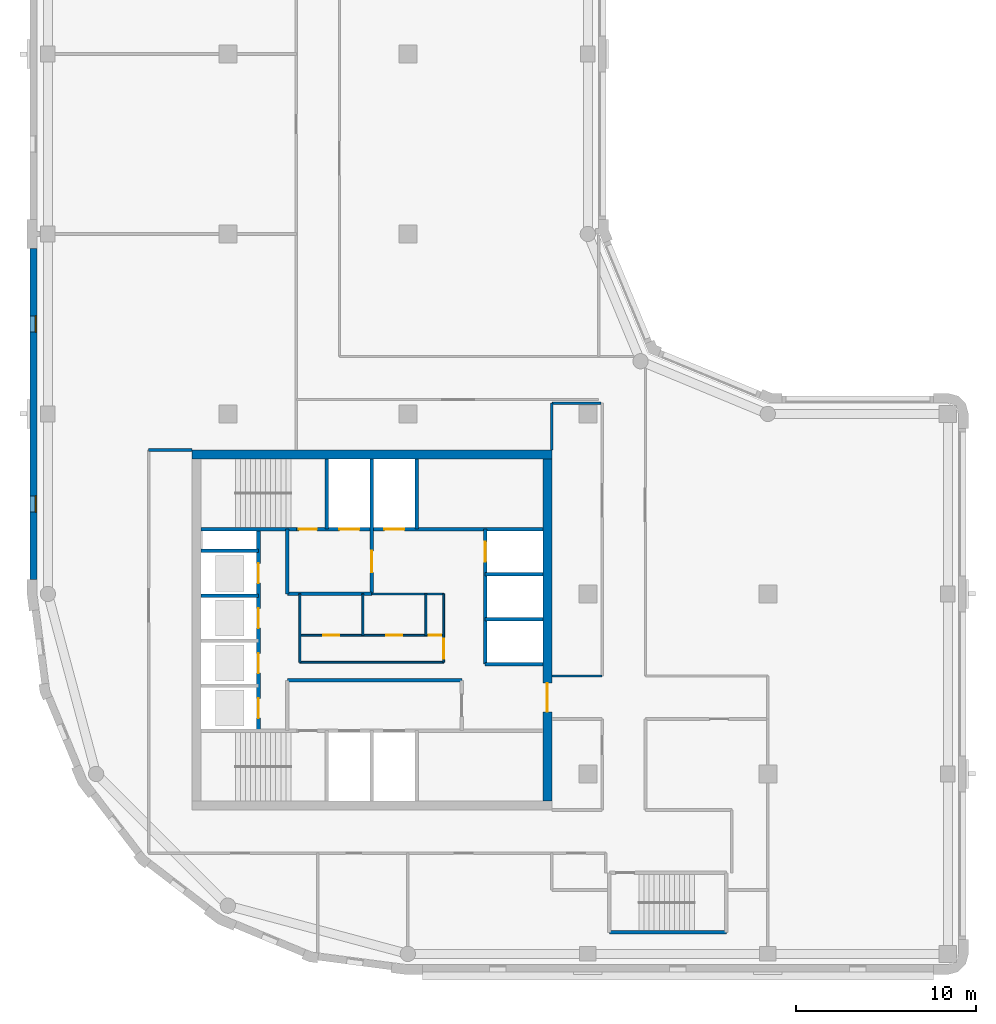
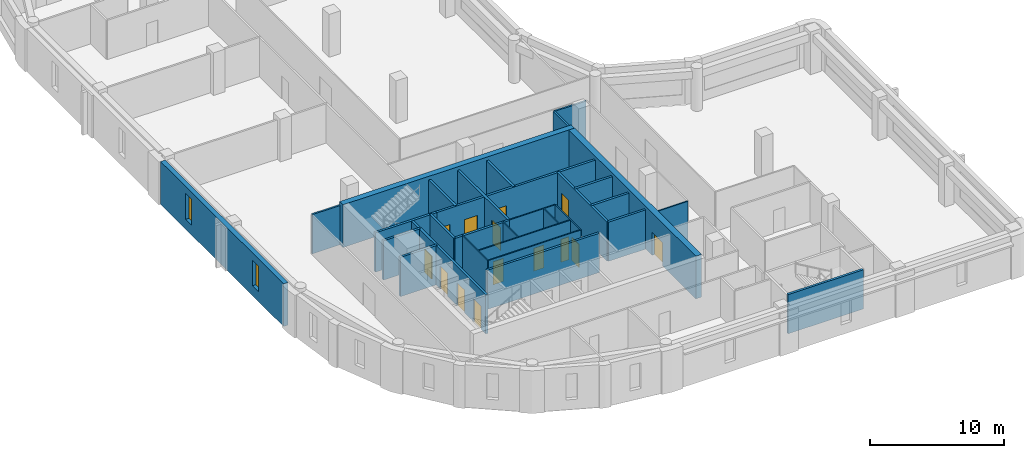
# One storey, part 3 of 9: 30 walls, 14 doors, 2 windows, 16 openings.
"""IFC4 building model written with IfcOpenShell, lengths in metres."""

from ifc_helpers import new_model, si_unit, direction, frame, frame_2d, origin, place, context, subcontext, project, spatial, rectangle, extrude, material, layer, layer_set, type_object, element, fill, save


model = new_model("IFC4")

# Units and contexts
model_context = context("Model", 3, precision=1e-05, world=origin(), true_north=direction((0.0, 1.0)))
body_context = subcontext(model_context, "Body", "Model", "MODEL_VIEW")
ifc_project = project(units=[si_unit("LENGTHUNIT", "METRE"), si_unit("AREAUNIT", "SQUARE_METRE"), si_unit("VOLUMEUNIT", "CUBIC_METRE"), si_unit("PLANEANGLEUNIT", "RADIAN"), si_unit("MASSUNIT", "GRAM", prefix="KILO")], contexts=[model_context])

# Site, building, storey
site_placement = place(None, origin())
site = spatial("IfcSite", under=ifc_project, at=site_placement, CompositionType="ELEMENT")
building_placement = place(site_placement, origin())
building = spatial("IfcBuilding", under=site, at=building_placement, Name="Qaws Garden Tower", CompositionType="ELEMENT")
storey_placement = place(building_placement, frame((0.0, 0.0, 259.199951171875)))
storey = spatial("IfcBuildingStorey", under=building, at=storey_placement, Name="L62", CompositionType="ELEMENT", Elevation=259.199951171875)

# Wall, openings, windows
ifc_material_1 = material(Name="Clay facing brick masonry", Category="masonry")
ifc_layer_1 = layer(ifc_material_1, 0.39990234375)
ifc_layer_set_1 = layer_set([ifc_layer_1], Name="Clay facing brick masonry")
wall_type_1 = type_object("IfcWallType", Name="Brick infill wall 400", PredefinedType="SOLIDWALL", material=ifc_layer_set_1)
wall_1_placement = place(storey_placement, frame((-0.800048828125, 39.199951171875, 0.0), z_axis=(0.0, 0.0, 1.0), x_axis=(0.0, -1.0, 0.0)))
wall_1 = element("IfcWall", 1, at=wall_1_placement, inside=storey, type_object=wall_type_1, Name="E-L62-infill-21", PredefinedType="SOLIDWALL", context=body_context, shape_type="SweptSolid", body=[
    extrude(rectangle(XDim=18.39990234375, YDim=0.39990234375, at=frame_2d((9.199951171875, 0.0))), origin(), (0.0, 0.0, 1.0), 3.900146484375),
])
opening_1_placement = place(wall_1_placement, frame((3.75, 0.0, 0.89990234375)))
opening_1 = element("IfcOpeningElement", 2, at=opening_1_placement, cuts=wall_1, Name="Opening W09", PredefinedType="OPENING", context=body_context, shape_type="SweptSolid", body=[
    extrude(rectangle(XDim=0.89990234375, YDim=2.35009765625, at=frame_2d((0.449951171875, 1.175048828125))), frame((0.0, 0.2099609375, 0.0), z_axis=(0.0, -1.0, 0.0), x_axis=(1.0, 0.0, 0.0)), (0.0, 0.0, 1.0), 0.419921875),
])
opening_2_placement = place(wall_1_placement, frame((13.75, 0.0, 0.89990234375)))
opening_2 = element("IfcOpeningElement", 3, at=opening_2_placement, cuts=wall_1, Name="Opening W09", PredefinedType="OPENING", context=body_context, shape_type="SweptSolid", body=[
    extrude(rectangle(XDim=0.89990234375, YDim=2.35009765625, at=frame_2d((0.449951171875, 1.175048828125))), frame((0.0, 0.2099609375, 0.0), z_axis=(0.0, -1.0, 0.0), x_axis=(1.0, 0.0, 0.0)), (0.0, 0.0, 1.0), 0.419921875),
])
ifc_material_2 = material(Name="Aluminium framed window, clear glazing", Category="aluminium")
window_type = type_object("IfcWindowType", Name="Slit window 900 x 2350", PartitioningType="SINGLE_PANEL", PredefinedType="WINDOW", material=ifc_material_2)
window_1_placement = place(opening_1_placement, origin())
window_1 = element("IfcWindow", 4, at=window_1_placement, inside=storey, type_object=window_type, Name="E-L62-window-21-0", OverallHeight=2.35009765625, OverallWidth=0.89990234375, PartitioningType="SINGLE_PANEL", PredefinedType="WINDOW", context=body_context, shape_type="SweptSolid", body=[
    extrude(rectangle(XDim=0.89990234375, YDim=2.35009765625, at=frame_2d((0.449951171875, 1.175048828125))), frame((0.0, 0.159912109375, 0.0), z_axis=(0.0, -1.0, 0.0), x_axis=(1.0, 0.0, 0.0)), (0.0, 0.0, 1.0), 0.06005859375),
])
fill(opening_1, window_1)
window_2_placement = place(opening_2_placement, origin())
window_2 = element("IfcWindow", 5, at=window_2_placement, inside=storey, type_object=window_type, Name="E-L62-window-22-0", OverallHeight=2.35009765625, OverallWidth=0.89990234375, PartitioningType="SINGLE_PANEL", PredefinedType="WINDOW", context=body_context, shape_type="SweptSolid", body=[
    extrude(rectangle(XDim=0.89990234375, YDim=2.35009765625, at=frame_2d((0.449951171875, 1.175048828125))), frame((0.0, 0.159912109375, 0.0), z_axis=(0.0, -1.0, 0.0), x_axis=(1.0, 0.0, 0.0)), (0.0, 0.0, 1.0), 0.06005859375),
])
fill(opening_2, window_2)

# Wall
ifc_material_3 = material(Name="Plasterboard")
ifc_layer_2 = layer(ifc_material_3, 0.10009765625)
ifc_layer_set_2 = layer_set([ifc_layer_2], Name="Plasterboard")
wall_type_2 = type_object("IfcWallType", Name="Core partition 100", PredefinedType="PARTITIONING", material=ifc_layer_set_2)
wall_2_placement = place(storey_placement, frame((14.0, 16.199951171875, 0.0), z_axis=(0.0, 0.0, 1.0), x_axis=(1.0, 0.0, 0.0)))
element("IfcWall", 6, at=wall_2_placement, inside=storey, type_object=wall_type_2, Name="Core partition", PredefinedType="PARTITIONING", context=body_context, shape_type="SweptSolid", body=[
    extrude(rectangle(XDim=8.0, YDim=0.10009765625, at=frame_2d((4.0, 0.0))), origin(), (0.0, 0.0, 1.0), 3.580078125),
])

# Wall, openings, doors
wall_3_placement = place(storey_placement, frame((14.0, 17.699951171875, 0.0), z_axis=(0.0, 0.0, 1.0), x_axis=(1.0, 0.0, 0.0)))
wall_3 = element("IfcWall", 7, at=wall_3_placement, inside=storey, type_object=wall_type_2, Name="Core partition", PredefinedType="PARTITIONING", context=body_context, shape_type="SweptSolid", body=[
    extrude(rectangle(XDim=8.0, YDim=0.10009765625, at=frame_2d((4.0, 0.0))), origin(), (0.0, 0.0, 1.0), 3.580078125),
])
opening_3_placement = place(wall_3_placement, frame((1.300048828125, 0.0, 0.0)))
opening_3 = element("IfcOpeningElement", 8, at=opening_3_placement, cuts=wall_3, Name="Opening WD18", PredefinedType="OPENING", context=body_context, shape_type="SweptSolid", body=[
    extrude(rectangle(XDim=0.89990234375, YDim=2.10009765625, at=frame_2d((0.449951171875, 1.050048828125))), frame((0.0, 0.06005859375, 0.0), z_axis=(0.0, -1.0, 0.0), x_axis=(1.0, 0.0, 0.0)), (0.0, 0.0, 1.0), 0.1201171875),
])
opening_4_placement = place(wall_3_placement, frame((4.800048828125, 0.0, 0.0)))
opening_4 = element("IfcOpeningElement", 9, at=opening_4_placement, cuts=wall_3, Name="Opening WD19", PredefinedType="OPENING", context=body_context, shape_type="SweptSolid", body=[
    extrude(rectangle(XDim=0.89990234375, YDim=2.10009765625, at=frame_2d((0.449951171875, 1.050048828125))), frame((0.0, 0.06005859375, 0.0), z_axis=(0.0, -1.0, 0.0), x_axis=(1.0, 0.0, 0.0)), (0.0, 0.0, 1.0), 0.1201171875),
])
opening_5_placement = place(wall_3_placement, frame((7.14990234375, 0.0, 0.0)))
opening_5 = element("IfcOpeningElement", 10, at=opening_5_placement, cuts=wall_3, Name="Opening XD20", PredefinedType="OPENING", context=body_context, shape_type="SweptSolid", body=[
    extrude(rectangle(XDim=0.699951171875, YDim=2.10009765625, at=frame_2d((0.35009765625, 1.050048828125))), frame((0.0, 0.06005859375, 0.0), z_axis=(0.0, -1.0, 0.0), x_axis=(1.0, 0.0, 0.0)), (0.0, 0.0, 1.0), 0.1201171875),
])
ifc_material_4 = material(Name="Timber", Category="wood")
door_type_1 = type_object("IfcDoorType", Name="Store door 700x2100", OperationType="SINGLE_SWING_LEFT", PredefinedType="DOOR", material=ifc_material_4)
door_1_placement = place(opening_5_placement, origin())
door_1 = element("IfcDoor", 11, at=door_1_placement, inside=storey, type_object=door_type_1, Name="Cleaner's store door", OperationType="SINGLE_SWING_RIGHT", OverallHeight=2.10009765625, OverallWidth=0.699951171875, PredefinedType="DOOR", context=body_context, shape_type="SweptSolid", body=[
    extrude(rectangle(XDim=0.699951171875, YDim=2.10009765625, at=frame_2d((0.35009765625, 1.050048828125))), frame((0.0, 0.02490234375, 0.0), z_axis=(0.0, -1.0, 0.0), x_axis=(1.0, 0.0, 0.0)), (0.0, 0.0, 1.0), 0.050048828125),
])
fill(opening_5, door_1)
ifc_material_5 = material(Name="Timber", Category="wood")
door_type_2 = type_object("IfcDoorType", Name="WC door 900x2100", OperationType="SINGLE_SWING_LEFT", PredefinedType="DOOR", material=ifc_material_5)
door_2_placement = place(opening_3_placement, origin())
door_2 = element("IfcDoor", 12, at=door_2_placement, inside=storey, type_object=door_type_2, Name="Men's WC door", OperationType="SINGLE_SWING_RIGHT", OverallHeight=2.10009765625, OverallWidth=0.89990234375, PredefinedType="DOOR", context=body_context, shape_type="SweptSolid", body=[
    extrude(rectangle(XDim=0.89990234375, YDim=2.10009765625, at=frame_2d((0.449951171875, 1.050048828125))), frame((0.0, 0.02490234375, 0.0), z_axis=(0.0, -1.0, 0.0), x_axis=(1.0, 0.0, 0.0)), (0.0, 0.0, 1.0), 0.050048828125),
])
fill(opening_3, door_2)
door_3_placement = place(opening_4_placement, origin())
door_3 = element("IfcDoor", 13, at=door_3_placement, inside=storey, type_object=door_type_2, Name="Women's WC door", OperationType="SINGLE_SWING_RIGHT", OverallHeight=2.10009765625, OverallWidth=0.89990234375, PredefinedType="DOOR", context=body_context, shape_type="SweptSolid", body=[
    extrude(rectangle(XDim=0.89990234375, YDim=2.10009765625, at=frame_2d((0.449951171875, 1.050048828125))), frame((0.0, 0.02490234375, 0.0), z_axis=(0.0, -1.0, 0.0), x_axis=(1.0, 0.0, 0.0)), (0.0, 0.0, 1.0), 0.050048828125),
])
fill(opening_4, door_3)

# Walls
wall_4_placement = place(storey_placement, frame((18.0, 20.0, 0.0), z_axis=(0.0, 0.0, 1.0), x_axis=(1.0, 0.0, 0.0)))
element("IfcWall", 14, at=wall_4_placement, inside=storey, type_object=wall_type_2, Name="Core partition", PredefinedType="PARTITIONING", context=body_context, shape_type="SweptSolid", body=[
    extrude(rectangle(XDim=4.0, YDim=0.10009765625, at=frame_2d((2.0, 0.0))), origin(), (0.0, 0.0, 1.0), 3.580078125),
])
wall_5_placement = place(storey_placement, frame((14.0, 16.199951171875, 0.0), z_axis=(0.0, 0.0, 1.0), x_axis=(0.0, 1.0, 0.0)))
element("IfcWall", 15, at=wall_5_placement, inside=storey, type_object=wall_type_2, Name="Core partition", PredefinedType="PARTITIONING", context=body_context, shape_type="SweptSolid", body=[
    extrude(rectangle(XDim=3.800048828125, YDim=0.10009765625, at=frame_2d((1.89990234375, 0.0))), origin(), (0.0, 0.0, 1.0), 3.580078125),
])
for number, where, z_axis, x_axis, name in (
    (16, (17.5, 17.699951171875, 0.0), (0.0, 0.0, 1.0), (0.0, 1.0, 0.0), "Core partition"),
    (17, (21.0, 17.699951171875, 0.0), (0.0, 0.0, 1.0), (0.0, 1.0, 0.0), "Core partition"),
):
    element("IfcWall", number, at=place(storey_placement, frame(where, z_axis=z_axis, x_axis=x_axis)), inside=storey, type_object=wall_type_2, Name=name, PredefinedType="PARTITIONING", context=body_context, shape_type="SweptSolid", body=[
        extrude(rectangle(XDim=2.300048828125, YDim=0.10009765625, at=frame_2d((1.14990234375, 0.0))), origin(), (0.0, 0.0, 1.0), 3.580078125),
    ])

# Wall, opening, door
wall_6_placement = place(storey_placement, frame((22.0, 16.199951171875, 0.0), z_axis=(0.0, 0.0, 1.0), x_axis=(0.0, 1.0, 0.0)))
wall_6 = element("IfcWall", 18, at=wall_6_placement, inside=storey, type_object=wall_type_2, Name="Core partition", PredefinedType="PARTITIONING", context=body_context, shape_type="SweptSolid", body=[
    extrude(rectangle(XDim=3.800048828125, YDim=0.10009765625, at=frame_2d((1.89990234375, 0.0))), origin(), (0.0, 0.0, 1.0), 3.580078125),
])
opening_6_placement = place(wall_6_placement, frame((0.199951171875, 0.0, 0.0)))
opening_6 = element("IfcOpeningElement", 19, at=opening_6_placement, cuts=wall_6, Name="Opening WL17", PredefinedType="OPENING", context=body_context, shape_type="SweptSolid", body=[
    extrude(rectangle(XDim=1.10009765625, YDim=2.10009765625, at=frame_2d((0.550048828125, 1.050048828125))), frame((0.0, 0.06005859375, 0.0), z_axis=(0.0, -1.0, 0.0), x_axis=(1.0, 0.0, 0.0)), (0.0, 0.0, 1.0), 0.1201171875),
])
ifc_material_6 = material(Name="Timber", Category="wood")
door_type_3 = type_object("IfcDoorType", Name="WC lobby door 1100x2100", OperationType="SINGLE_SWING_LEFT", PredefinedType="DOOR", material=ifc_material_6)
door_4_placement = place(opening_6_placement, origin())
door_4 = element("IfcDoor", 20, at=door_4_placement, inside=storey, type_object=door_type_3, Name="WC lobby door", OperationType="SINGLE_SWING_RIGHT", OverallHeight=2.10009765625, OverallWidth=1.10009765625, PredefinedType="DOOR", context=body_context, shape_type="SweptSolid", body=[
    extrude(rectangle(XDim=1.10009765625, YDim=2.10009765625, at=frame_2d((0.550048828125, 1.050048828125))), frame((0.0, 0.02490234375, 0.0), z_axis=(0.0, -1.0, 0.0), x_axis=(1.0, 0.0, 0.0)), (0.0, 0.0, 1.0), 0.050048828125),
])
fill(opening_6, door_4)

# Walls
ifc_material_7 = material(Name="Concrete C60", Category="concrete")
ifc_layer_3 = layer(ifc_material_7, 0.199951171875)
ifc_layer_set_3 = layer_set([ifc_layer_3], Name="Concrete C60")
wall_type_3 = type_object("IfcWallType", Name="Core shaft wall 200 C60", PredefinedType="SHEAR", material=ifc_layer_set_3)
wall_7_placement = place(storey_placement, frame((31.199951171875, 1.199951171875, 0.0), z_axis=(0.0, 0.0, 1.0), x_axis=(1.0, 0.0, 0.0)))
element("IfcWall", 21, at=wall_7_placement, inside=storey, type_object=wall_type_3, Name="Shaft wall", PredefinedType="SHEAR", context=body_context, shape_type="SweptSolid", body=[
    extrude(rectangle(XDim=6.5, YDim=0.199951171875, at=frame_2d((3.25, 0.0))), origin(), (0.0, 0.0, 1.0), 3.580078125),
])
wall_8_placement = place(storey_placement, frame((13.300048828125, 15.199951171875, 0.0), z_axis=(0.0, 0.0, 1.0), x_axis=(1.0, 0.0, 0.0)))
element("IfcWall", 22, at=wall_8_placement, inside=storey, type_object=wall_type_3, Name="Shaft wall", PredefinedType="SHEAR", context=body_context, shape_type="SweptSolid", body=[
    extrude(rectangle(XDim=9.699951171875, YDim=0.199951171875, at=frame_2d((4.85009765625, 0.0))), origin(), (0.0, 0.0, 1.0), 3.580078125),
])
for number, where, z_axis, x_axis, name in (
    (23, (24.300048828125, 16.10009765625, 0.0), (0.0, 0.0, 1.0), (1.0, 0.0, 0.0), "Shaft wall"),
    (24, (24.300048828125, 18.60009765625, 0.0), (0.0, 0.0, 1.0), (1.0, 0.0, 0.0), "Shaft wall"),
    (25, (8.5, 19.89990234375, 0.0), (0.0, 0.0, 1.0), (1.0, 0.0, 0.0), "Shaft wall"),
):
    element("IfcWall", number, at=place(storey_placement, frame(where, z_axis=z_axis, x_axis=x_axis)), inside=storey, type_object=wall_type_3, Name=name, PredefinedType="SHEAR", context=body_context, shape_type="SweptSolid", body=[
        extrude(rectangle(XDim=3.199951171875, YDim=0.199951171875, at=frame_2d((1.60009765625, 0.0))), origin(), (0.0, 0.0, 1.0), 3.580078125),
    ])
wall_9_placement = place(storey_placement, frame((13.300048828125, 20.0, 0.0), z_axis=(0.0, 0.0, 1.0), x_axis=(1.0, 0.0, 0.0)))
element("IfcWall", 26, at=wall_9_placement, inside=storey, type_object=wall_type_3, Name="Shaft wall", PredefinedType="SHEAR", context=body_context, shape_type="SweptSolid", body=[
    extrude(rectangle(XDim=4.699951171875, YDim=0.199951171875, at=frame_2d((2.35009765625, 0.0))), origin(), (0.0, 0.0, 1.0), 3.580078125),
])
for number, where, z_axis, x_axis, name in (
    (27, (24.300048828125, 21.10009765625, 0.0), (0.0, 0.0, 1.0), (1.0, 0.0, 0.0), "Shaft wall"),
    (28, (8.5, 22.39990234375, 0.0), (0.0, 0.0, 1.0), (1.0, 0.0, 0.0), "Shaft wall"),
):
    element("IfcWall", number, at=place(storey_placement, frame(where, z_axis=z_axis, x_axis=x_axis)), inside=storey, type_object=wall_type_3, Name=name, PredefinedType="SHEAR", context=body_context, shape_type="SweptSolid", body=[
        extrude(rectangle(XDim=3.199951171875, YDim=0.199951171875, at=frame_2d((1.60009765625, 0.0))), origin(), (0.0, 0.0, 1.0), 3.580078125),
    ])
wall_10_placement = place(storey_placement, frame((8.5, 23.60009765625, 0.0), z_axis=(0.0, 0.0, 1.0), x_axis=(1.0, 0.0, 0.0)))
element("IfcWall", 29, at=wall_10_placement, inside=storey, type_object=wall_type_3, Name="Shaft wall", PredefinedType="SHEAR", context=body_context, shape_type="SweptSolid", body=[
    extrude(rectangle(XDim=5.300048828125, YDim=0.199951171875, at=frame_2d((2.64990234375, 0.0))), origin(), (0.0, 0.0, 1.0), 3.580078125),
])

# Wall, openings, doors
wall_11_placement = place(storey_placement, frame((13.800048828125, 23.60009765625, 0.0), z_axis=(0.0, 0.0, 1.0), x_axis=(1.0, 0.0, 0.0)))
wall_11 = element("IfcWall", 30, at=wall_11_placement, inside=storey, type_object=wall_type_3, Name="Shaft wall", PredefinedType="SHEAR", context=body_context, shape_type="SweptSolid", body=[
    extrude(rectangle(XDim=13.699951171875, YDim=0.199951171875, at=frame_2d((6.85009765625, 0.0))), origin(), (0.0, 0.0, 1.0), 3.580078125),
])
opening_7_placement = place(wall_11_placement, frame((2.39990234375, 0.0, 0.0)))
opening_7 = element("IfcOpeningElement", 31, at=opening_7_placement, cuts=wall_11, Name="Opening LD08", PredefinedType="OPENING", context=body_context, shape_type="SweptSolid", body=[
    extrude(rectangle(XDim=1.10009765625, YDim=2.10009765625, at=frame_2d((0.550048828125, 1.050048828125))), frame((0.0, 0.10986328125, 0.0), z_axis=(0.0, -1.0, 0.0), x_axis=(1.0, 0.0, 0.0)), (0.0, 0.0, 1.0), 0.219970703125),
])
opening_8_placement = place(wall_11_placement, frame((4.89990234375, 0.0, 0.0)))
opening_8 = element("IfcOpeningElement", 32, at=opening_8_placement, cuts=wall_11, Name="Opening LD09", PredefinedType="OPENING", context=body_context, shape_type="SweptSolid", body=[
    extrude(rectangle(XDim=1.10009765625, YDim=2.10009765625, at=frame_2d((0.550048828125, 1.050048828125))), frame((0.0, 0.10986328125, 0.0), z_axis=(0.0, -1.0, 0.0), x_axis=(1.0, 0.0, 0.0)), (0.0, 0.0, 1.0), 0.219970703125),
])
opening_9_placement = place(wall_11_placement, frame((0.14990234375, 0.0, 0.0)))
opening_9 = element("IfcOpeningElement", 33, at=opening_9_placement, cuts=wall_11, Name="Opening SD11", PredefinedType="OPENING", context=body_context, shape_type="SweptSolid", body=[
    extrude(rectangle(XDim=1.0, YDim=2.10009765625, at=frame_2d((0.5, 1.050048828125))), frame((0.0, 0.10986328125, 0.0), z_axis=(0.0, -1.0, 0.0), x_axis=(1.0, 0.0, 0.0)), (0.0, 0.0, 1.0), 0.219970703125),
])
ifc_material_8 = material(Name="Steel S235", Category="steel")
door_type_4 = type_object("IfcDoorType", Name="Landing door 1100x2100", OperationType="DOUBLE_DOOR_SLIDING", PredefinedType="DOOR", material=ifc_material_8)
door_5_placement = place(opening_7_placement, origin())
door_5 = element("IfcDoor", 34, at=door_5_placement, inside=storey, type_object=door_type_4, Name="Lift FF3 landing door", OperationType="DOUBLE_DOOR_SLIDING", OverallHeight=2.10009765625, OverallWidth=1.10009765625, PredefinedType="DOOR", context=body_context, shape_type="SweptSolid", body=[
    extrude(rectangle(XDim=1.10009765625, YDim=2.10009765625, at=frame_2d((0.550048828125, 1.050048828125))), frame((0.0, 0.02490234375, 0.0), z_axis=(0.0, -1.0, 0.0), x_axis=(1.0, 0.0, 0.0)), (0.0, 0.0, 1.0), 0.050048828125),
])
fill(opening_7, door_5)
door_6_placement = place(opening_8_placement, origin())
door_6 = element("IfcDoor", 35, at=door_6_placement, inside=storey, type_object=door_type_4, Name="Lift SV2 landing door", OperationType="DOUBLE_DOOR_SLIDING", OverallHeight=2.10009765625, OverallWidth=1.10009765625, PredefinedType="DOOR", context=body_context, shape_type="SweptSolid", body=[
    extrude(rectangle(XDim=1.10009765625, YDim=2.10009765625, at=frame_2d((0.550048828125, 1.050048828125))), frame((0.0, 0.02490234375, 0.0), z_axis=(0.0, -1.0, 0.0), x_axis=(1.0, 0.0, 0.0)), (0.0, 0.0, 1.0), 0.050048828125),
])
fill(opening_8, door_6)
ifc_material_9 = material(Name="Steel S235", Category="steel")
door_type_5 = type_object("IfcDoorType", Name="Stair door 1000x2100", OperationType="SINGLE_SWING_RIGHT", PredefinedType="DOOR", material=ifc_material_9)
door_7_placement = place(opening_9_placement, origin())
door_7 = element("IfcDoor", 36, at=door_7_placement, inside=storey, type_object=door_type_5, Name="Stair 4 door", OperationType="SINGLE_SWING_RIGHT", OverallHeight=2.10009765625, OverallWidth=1.0, PredefinedType="DOOR", context=body_context, shape_type="SweptSolid", body=[
    extrude(rectangle(XDim=1.0, YDim=2.10009765625, at=frame_2d((0.5, 1.050048828125))), frame((0.0, 0.02490234375, 0.0), z_axis=(0.0, -1.0, 0.0), x_axis=(1.0, 0.0, 0.0)), (0.0, 0.0, 1.0), 0.050048828125),
])
fill(opening_9, door_7)

wall_12_placement = place(storey_placement, frame((11.699951171875, 12.39990234375, 0.0), z_axis=(0.0, 0.0, 1.0), x_axis=(0.0, 1.0, 0.0)))
wall_12 = element("IfcWall", 37, at=wall_12_placement, inside=storey, type_object=wall_type_3, Name="Shaft wall", PredefinedType="SHEAR", context=body_context, shape_type="SweptSolid", body=[
    extrude(rectangle(XDim=11.2001953125, YDim=0.199951171875, at=frame_2d((5.60009765625, 0.0))), origin(), (0.0, 0.0, 1.0), 3.580078125),
])
opening_10_placement = place(wall_12_placement, frame((0.699951171875, 0.0, 0.0)))
opening_10 = element("IfcOpeningElement", 38, at=opening_10_placement, cuts=wall_12, Name="Opening LD01", PredefinedType="OPENING", context=body_context, shape_type="SweptSolid", body=[
    extrude(rectangle(XDim=1.10009765625, YDim=2.10009765625, at=frame_2d((0.550048828125, 1.050048828125))), frame((0.0, 0.10986328125, 0.0), z_axis=(0.0, -1.0, 0.0), x_axis=(1.0, 0.0, 0.0)), (0.0, 0.0, 1.0), 0.219970703125),
])
opening_11_placement = place(wall_12_placement, frame((3.199951171875, 0.0, 0.0)))
opening_11 = element("IfcOpeningElement", 39, at=opening_11_placement, cuts=wall_12, Name="Opening LD02", PredefinedType="OPENING", context=body_context, shape_type="SweptSolid", body=[
    extrude(rectangle(XDim=1.10009765625, YDim=2.10009765625, at=frame_2d((0.550048828125, 1.050048828125))), frame((0.0, 0.10986328125, 0.0), z_axis=(0.0, -1.0, 0.0), x_axis=(1.0, 0.0, 0.0)), (0.0, 0.0, 1.0), 0.219970703125),
])
opening_12_placement = place(wall_12_placement, frame((5.699951171875, 0.0, 0.0)))
opening_12 = element("IfcOpeningElement", 40, at=opening_12_placement, cuts=wall_12, Name="Opening LD03", PredefinedType="OPENING", context=body_context, shape_type="SweptSolid", body=[
    extrude(rectangle(XDim=1.10009765625, YDim=2.10009765625, at=frame_2d((0.550048828125, 1.050048828125))), frame((0.0, 0.10986328125, 0.0), z_axis=(0.0, -1.0, 0.0), x_axis=(1.0, 0.0, 0.0)), (0.0, 0.0, 1.0), 0.219970703125),
])
opening_13_placement = place(wall_12_placement, frame((8.199951171875, 0.0, 0.0)))
opening_13 = element("IfcOpeningElement", 41, at=opening_13_placement, cuts=wall_12, Name="Opening LD04", PredefinedType="OPENING", context=body_context, shape_type="SweptSolid", body=[
    extrude(rectangle(XDim=1.10009765625, YDim=2.10009765625, at=frame_2d((0.550048828125, 1.050048828125))), frame((0.0, 0.10986328125, 0.0), z_axis=(0.0, -1.0, 0.0), x_axis=(1.0, 0.0, 0.0)), (0.0, 0.0, 1.0), 0.219970703125),
])
door_8_placement = place(opening_10_placement, origin())
door_8 = element("IfcDoor", 42, at=door_8_placement, inside=storey, type_object=door_type_4, Name="Lift W1 landing door", OperationType="DOUBLE_DOOR_SLIDING", OverallHeight=2.10009765625, OverallWidth=1.10009765625, PredefinedType="DOOR", context=body_context, shape_type="SweptSolid", body=[
    extrude(rectangle(XDim=1.10009765625, YDim=2.10009765625, at=frame_2d((0.550048828125, 1.050048828125))), frame((0.0, 0.02490234375, 0.0), z_axis=(0.0, -1.0, 0.0), x_axis=(1.0, 0.0, 0.0)), (0.0, 0.0, 1.0), 0.050048828125),
])
fill(opening_10, door_8)
door_9_placement = place(opening_11_placement, origin())
door_9 = element("IfcDoor", 43, at=door_9_placement, inside=storey, type_object=door_type_4, Name="Lift W2 landing door", OperationType="DOUBLE_DOOR_SLIDING", OverallHeight=2.10009765625, OverallWidth=1.10009765625, PredefinedType="DOOR", context=body_context, shape_type="SweptSolid", body=[
    extrude(rectangle(XDim=1.10009765625, YDim=2.10009765625, at=frame_2d((0.550048828125, 1.050048828125))), frame((0.0, 0.02490234375, 0.0), z_axis=(0.0, -1.0, 0.0), x_axis=(1.0, 0.0, 0.0)), (0.0, 0.0, 1.0), 0.050048828125),
])
fill(opening_11, door_9)
door_10_placement = place(opening_12_placement, origin())
door_10 = element("IfcDoor", 44, at=door_10_placement, inside=storey, type_object=door_type_4, Name="Lift W3 landing door", OperationType="DOUBLE_DOOR_SLIDING", OverallHeight=2.10009765625, OverallWidth=1.10009765625, PredefinedType="DOOR", context=body_context, shape_type="SweptSolid", body=[
    extrude(rectangle(XDim=1.10009765625, YDim=2.10009765625, at=frame_2d((0.550048828125, 1.050048828125))), frame((0.0, 0.02490234375, 0.0), z_axis=(0.0, -1.0, 0.0), x_axis=(1.0, 0.0, 0.0)), (0.0, 0.0, 1.0), 0.050048828125),
])
fill(opening_12, door_10)
door_11_placement = place(opening_13_placement, origin())
door_11 = element("IfcDoor", 45, at=door_11_placement, inside=storey, type_object=door_type_4, Name="Lift W4 landing door", OperationType="DOUBLE_DOOR_SLIDING", OverallHeight=2.10009765625, OverallWidth=1.10009765625, PredefinedType="DOOR", context=body_context, shape_type="SweptSolid", body=[
    extrude(rectangle(XDim=1.10009765625, YDim=2.10009765625, at=frame_2d((0.550048828125, 1.050048828125))), frame((0.0, 0.02490234375, 0.0), z_axis=(0.0, -1.0, 0.0), x_axis=(1.0, 0.0, 0.0)), (0.0, 0.0, 1.0), 0.050048828125),
])
fill(opening_13, door_11)

# Walls
wall_13_placement = place(storey_placement, frame((13.300048828125, 20.0, 0.0), z_axis=(0.0, 0.0, 1.0), x_axis=(0.0, 1.0, 0.0)))
element("IfcWall", 46, at=wall_13_placement, inside=storey, type_object=wall_type_3, Name="Shaft wall", PredefinedType="SHEAR", context=body_context, shape_type="SweptSolid", body=[
    extrude(rectangle(XDim=3.60009765625, YDim=0.199951171875, at=frame_2d((1.800048828125, 0.0))), origin(), (0.0, 0.0, 1.0), 3.580078125),
])
wall_14_placement = place(storey_placement, frame((15.5, 23.60009765625, 0.0), z_axis=(0.0, 0.0, 1.0), x_axis=(0.0, 1.0, 0.0)))
element("IfcWall", 47, at=wall_14_placement, inside=storey, type_object=wall_type_3, Name="Shaft wall", PredefinedType="SHEAR", context=body_context, shape_type="SweptSolid", body=[
    extrude(rectangle(XDim=3.89990234375, YDim=0.199951171875, at=frame_2d((1.949951171875, 0.0))), origin(), (0.0, 0.0, 1.0), 3.580078125),
])

# Wall, opening, door
wall_15_placement = place(storey_placement, frame((18.0, 20.0, 0.0), z_axis=(0.0, 0.0, 1.0), x_axis=(0.0, 1.0, 0.0)))
wall_15 = element("IfcWall", 48, at=wall_15_placement, inside=storey, type_object=wall_type_3, Name="Shaft wall", PredefinedType="SHEAR", context=body_context, shape_type="SweptSolid", body=[
    extrude(rectangle(XDim=7.5, YDim=0.199951171875, at=frame_2d((3.75, 0.0))), origin(), (0.0, 0.0, 1.0), 3.580078125),
])
opening_14_placement = place(wall_15_placement, frame((1.199951171875, 0.0, 0.0)))
opening_14 = element("IfcOpeningElement", 49, at=opening_14_placement, cuts=wall_15, Name="Opening FD16", PredefinedType="OPENING", context=body_context, shape_type="SweptSolid", body=[
    extrude(rectangle(XDim=1.199951171875, YDim=2.10009765625, at=frame_2d((0.60009765625, 1.050048828125))), frame((0.0, 0.10986328125, 0.0), z_axis=(0.0, -1.0, 0.0), x_axis=(1.0, 0.0, 0.0)), (0.0, 0.0, 1.0), 0.219970703125),
])
ifc_material_10 = material(Name="Steel S235", Category="steel")
door_type_6 = type_object("IfcDoorType", Name="Lobby door 1200x2100", OperationType="DOUBLE_DOOR_SINGLE_SWING", PredefinedType="DOOR", material=ifc_material_10)
door_12_placement = place(opening_14_placement, origin())
door_12 = element("IfcDoor", 50, at=door_12_placement, inside=storey, type_object=door_type_6, Name="Fire-fighting lobby door", OperationType="DOUBLE_DOOR_SINGLE_SWING", OverallHeight=2.10009765625, OverallWidth=1.199951171875, PredefinedType="DOOR", context=body_context, shape_type="SweptSolid", body=[
    extrude(rectangle(XDim=1.199951171875, YDim=2.10009765625, at=frame_2d((0.60009765625, 1.050048828125))), frame((0.0, 0.02490234375, 0.0), z_axis=(0.0, -1.0, 0.0), x_axis=(1.0, 0.0, 0.0)), (0.0, 0.0, 1.0), 0.050048828125),
])
fill(opening_14, door_12)

# Wall
wall_16_placement = place(storey_placement, frame((20.5, 23.60009765625, 0.0), z_axis=(0.0, 0.0, 1.0), x_axis=(0.0, 1.0, 0.0)))
element("IfcWall", 51, at=wall_16_placement, inside=storey, type_object=wall_type_3, Name="Shaft wall", PredefinedType="SHEAR", context=body_context, shape_type="SweptSolid", body=[
    extrude(rectangle(XDim=3.89990234375, YDim=0.199951171875, at=frame_2d((1.949951171875, 0.0))), origin(), (0.0, 0.0, 1.0), 3.580078125),
])

# Wall, opening, door
wall_17_placement = place(storey_placement, frame((24.300048828125, 16.10009765625, 0.0), z_axis=(0.0, 0.0, 1.0), x_axis=(0.0, 1.0, 0.0)))
wall_17 = element("IfcWall", 52, at=wall_17_placement, inside=storey, type_object=wall_type_3, Name="Shaft wall", PredefinedType="SHEAR", context=body_context, shape_type="SweptSolid", body=[
    extrude(rectangle(XDim=7.5, YDim=0.199951171875, at=frame_2d((3.75, 0.0))), origin(), (0.0, 0.0, 1.0), 3.580078125),
])
opening_15_placement = place(wall_17_placement, frame((5.699951171875, 0.0, 0.0)))
opening_15 = element("IfcOpeningElement", 53, at=opening_15_placement, cuts=wall_17, Name="Opening LD05", PredefinedType="OPENING", context=body_context, shape_type="SweptSolid", body=[
    extrude(rectangle(XDim=1.10009765625, YDim=2.10009765625, at=frame_2d((0.550048828125, 1.050048828125))), frame((0.0, 0.10986328125, 0.0), z_axis=(0.0, -1.0, 0.0), x_axis=(1.0, 0.0, 0.0)), (0.0, 0.0, 1.0), 0.219970703125),
])
door_13_placement = place(opening_15_placement, origin())
door_13 = element("IfcDoor", 54, at=door_13_placement, inside=storey, type_object=door_type_4, Name="Lift E3 landing door", OperationType="DOUBLE_DOOR_SLIDING", OverallHeight=2.10009765625, OverallWidth=1.10009765625, PredefinedType="DOOR", context=body_context, shape_type="SweptSolid", body=[
    extrude(rectangle(XDim=1.10009765625, YDim=2.10009765625, at=frame_2d((0.550048828125, 1.050048828125))), frame((0.0, 0.02490234375, 0.0), z_axis=(0.0, -1.0, 0.0), x_axis=(1.0, 0.0, 0.0)), (0.0, 0.0, 1.0), 0.050048828125),
])
fill(opening_15, door_13)

ifc_material_11 = material(Name="Concrete C60", Category="concrete")
ifc_layer_4 = layer(ifc_material_11, 0.5)
ifc_layer_set_4 = layer_set([ifc_layer_4], Name="Concrete C60")
wall_type_4 = type_object("IfcWallType", Name="Core wall 500 C60", PredefinedType="SHEAR", material=ifc_layer_set_4)
wall_18_placement = place(storey_placement, frame((27.75, 8.5, 0.0), z_axis=(0.0, 0.0, 1.0), x_axis=(0.0, 1.0, 0.0)))
wall_18 = element("IfcWall", 55, at=wall_18_placement, inside=storey, type_object=wall_type_4, Name="Core wall L62 east", PredefinedType="SHEAR", context=body_context, shape_type="SweptSolid", body=[
    extrude(rectangle(XDim=19.0, YDim=0.5, at=frame_2d((9.5, 0.0))), origin(), (0.0, 0.0, 1.0), 3.900146484375),
])
opening_16_placement = place(wall_18_placement, frame((4.949951171875, 0.0, 0.0)))
opening_16 = element("IfcOpeningElement", 56, at=opening_16_placement, cuts=wall_18, Name="Opening ED21", PredefinedType="OPENING", context=body_context, shape_type="SweptSolid", body=[
    extrude(rectangle(XDim=1.60009765625, YDim=2.10009765625, at=frame_2d((0.800048828125, 1.050048828125))), frame((0.0, 0.260009765625, 0.0), z_axis=(0.0, -1.0, 0.0), x_axis=(1.0, 0.0, 0.0)), (0.0, 0.0, 1.0), 0.52001953125),
])
ifc_material_12 = material(Name="Steel S235", Category="steel")
door_type_7 = type_object("IfcDoorType", Name="Core entrance door 1600x2100", OperationType="DOUBLE_DOOR_SINGLE_SWING", PredefinedType="DOOR", material=ifc_material_12)
door_14_placement = place(opening_16_placement, origin())
door_14 = element("IfcDoor", 57, at=door_14_placement, inside=storey, type_object=door_type_7, Name="Core entrance door", OperationType="DOUBLE_DOOR_SINGLE_SWING", OverallHeight=2.10009765625, OverallWidth=1.60009765625, PredefinedType="DOOR", context=body_context, shape_type="SweptSolid", body=[
    extrude(rectangle(XDim=1.60009765625, YDim=2.10009765625, at=frame_2d((0.800048828125, 1.050048828125))), frame((0.0, 0.02490234375, 0.0), z_axis=(0.0, -1.0, 0.0), x_axis=(1.0, 0.0, 0.0)), (0.0, 0.0, 1.0), 0.050048828125),
])
fill(opening_16, door_14)

# Walls
wall_19_placement = place(storey_placement, frame((28.0, 27.75, 0.0), z_axis=(0.0, 0.0, 1.0), x_axis=(-1.0, 0.0, 0.0)))
element("IfcWall", 58, at=wall_19_placement, inside=storey, type_object=wall_type_4, Name="Core wall L62 north", PredefinedType="SHEAR", context=body_context, shape_type="SweptSolid", body=[
    extrude(rectangle(XDim=20.0, YDim=0.5, at=frame_2d((10.0, 0.0))), origin(), (0.0, 0.0, 1.0), 3.900146484375),
])
ifc_material_13 = material(Name="Glass and aluminium framing", Category="aluminium")
ifc_layer_5 = layer(ifc_material_13, 0.1201171875)
ifc_layer_set_5 = layer_set([ifc_layer_5], Name="Glass and aluminium framing")
wall_type_5 = type_object("IfcWallType", Name="GLAZED PARTITION 120 EI 30", PredefinedType="PARTITIONING", material=ifc_layer_set_5)
wall_20_placement = place(storey_placement, frame((28.0, 15.449951171875, 0.0), z_axis=(0.0, 0.0, 1.0), x_axis=(1.0, 0.0, 0.0)))
element("IfcWall", 59, at=wall_20_placement, inside=storey, type_object=wall_type_5, Name="O-L62-wall-042", PredefinedType="PARTITIONING", context=body_context, shape_type="SweptSolid", body=[
    extrude(rectangle(XDim=2.800048828125, YDim=0.1201171875, at=frame_2d((1.39990234375, 0.0))), origin(), (0.0, 0.0, 1.0), 3.580078125),
])
ifc_material_14 = material(Name="Gypsum board partition")
ifc_layer_6 = layer(ifc_material_14, 0.14990234375)
ifc_layer_set_6 = layer_set([ifc_layer_6], Name="Gypsum board partition")
wall_type_6 = type_object("IfcWallType", Name="PARTITION 150 EI 60", PredefinedType="PARTITIONING", material=ifc_layer_set_6)
wall_21_placement = place(storey_placement, frame((28.0, 28.0, 0.0), z_axis=(0.0, 0.0, 1.0), x_axis=(0.0, 1.0, 0.0)))
element("IfcWall", 60, at=wall_21_placement, inside=storey, type_object=wall_type_6, Name="O-L62-wall-011", PredefinedType="PARTITIONING", context=body_context, shape_type="SweptSolid", body=[
    extrude(rectangle(XDim=2.597900390625, YDim=0.14990234375, at=frame_2d((1.298828125, 0.0))), origin(), (0.0, 0.0, 1.0), 3.580078125),
])
wall_22_placement = place(storey_placement, frame((5.60009765625, 28.0, 0.0), z_axis=(0.0, 0.0, 1.0), x_axis=(1.0, 0.0, 0.0)))
element("IfcWall", 61, at=wall_22_placement, inside=storey, type_object=wall_type_6, Name="O-L62-wall-026", PredefinedType="PARTITIONING", context=body_context, shape_type="SweptSolid", body=[
    extrude(rectangle(XDim=2.39990234375, YDim=0.14990234375, at=frame_2d((1.199951171875, 0.0))), origin(), (0.0, 0.0, 1.0), 3.580078125),
])
wall_23_placement = place(storey_placement, frame((28.001953125, 30.60009765625, 0.0), z_axis=(0.0, 0.0, 1.0), x_axis=(1.0, 0.0, 0.0)))
element("IfcWall", 62, at=wall_23_placement, inside=storey, type_object=wall_type_6, Name="O-L62-wall-027", PredefinedType="PARTITIONING", context=body_context, shape_type="SweptSolid", body=[
    extrude(rectangle(XDim=2.738037109375, YDim=0.14990234375, at=frame_2d((1.369140625, 0.0))), origin(), (0.0, 0.0, 1.0), 3.580078125),
])

save(model, "model.ifc")
